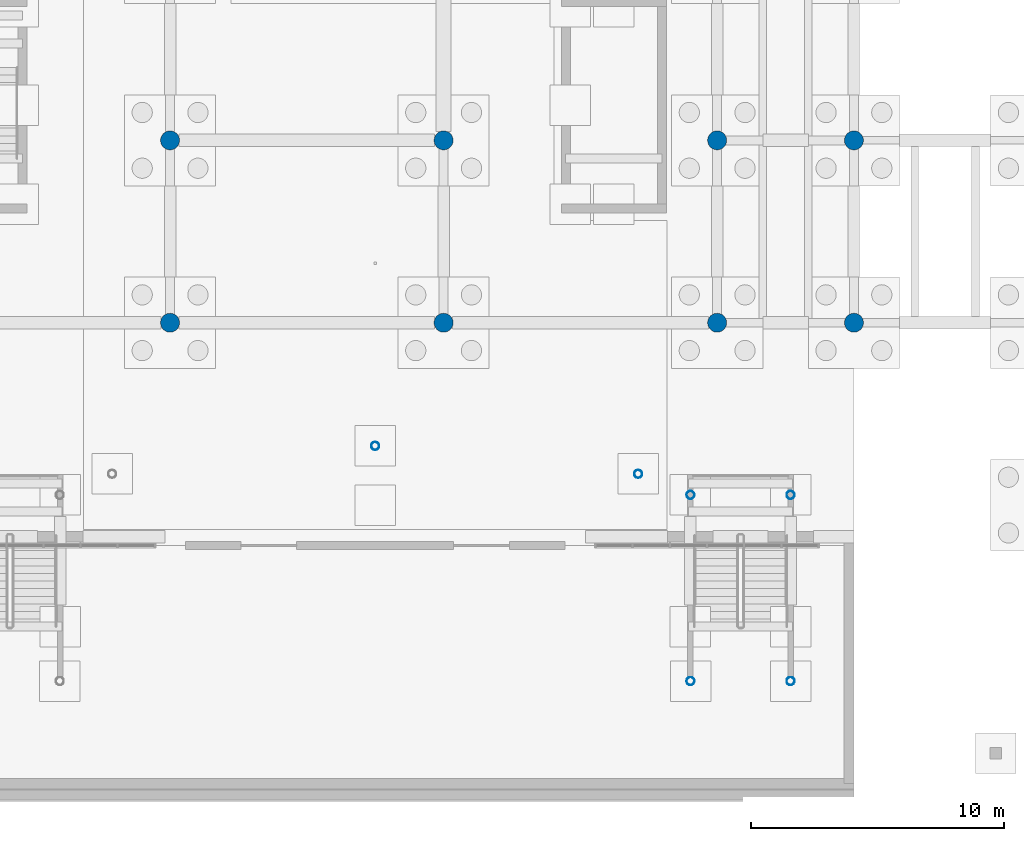
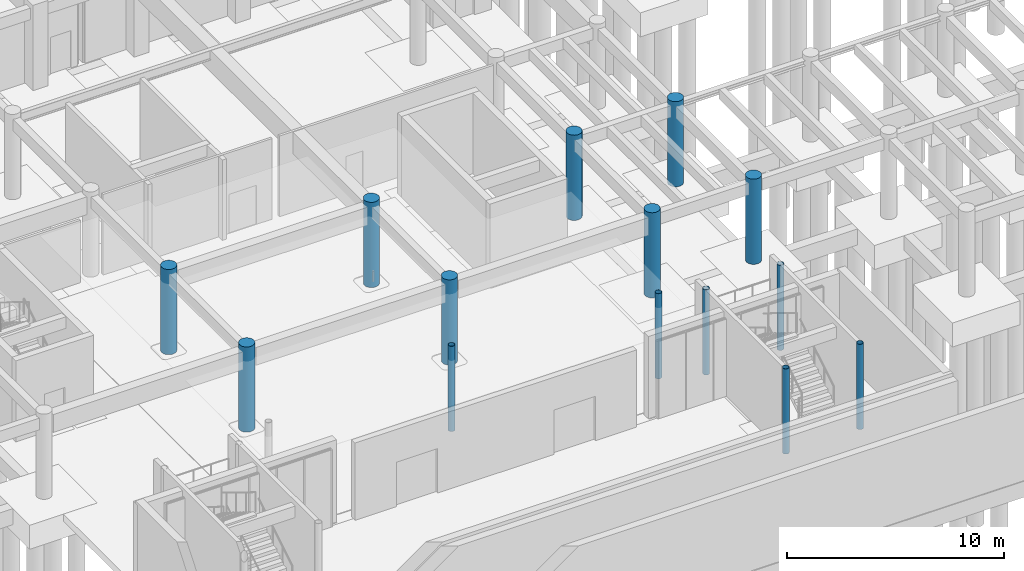
# One storey, part 14 of 46: 14 columns.
"""IFC4 building model written with IfcOpenShell, lengths in metres."""

from ifc_helpers import new_model, si_unit, direction, frame, origin, origin_2d, place, context, subcontext, project, spatial, circle, hollow_circle, extrude, material, material_profile, profile_set, type_object, element, save


model = new_model("IFC4")

# Units and contexts
model_context = context("Model", 3, precision=1e-05, world=origin(), true_north=direction((0.0, 1.0)))
body_context = subcontext(model_context, "Body", "Model", "MODEL_VIEW")
ifc_project = project(units=[si_unit("LENGTHUNIT", "METRE"), si_unit("AREAUNIT", "SQUARE_METRE"), si_unit("VOLUMEUNIT", "CUBIC_METRE"), si_unit("PLANEANGLEUNIT", "RADIAN"), si_unit("MASSUNIT", "GRAM", prefix="KILO")], contexts=[model_context])

# Site, building, storey
site_placement = place(None, origin())
site = spatial("IfcSite", under=ifc_project, at=site_placement, CompositionType="ELEMENT")
building_placement = place(site_placement, origin())
building = spatial("IfcBuilding", under=site, at=building_placement, Name="Tazoul Stagehouse", CompositionType="ELEMENT")
storey_placement = place(building_placement, frame((0.0, 0.0, -4.800048828125)))
storey = spatial("IfcBuildingStorey", under=building, at=storey_placement, Name="B1", CompositionType="ELEMENT", Elevation=-4.800048828125)

# Columns
ifc_material_1 = material(Name="Concrete C40/50", Category="concrete")
ifc_material_profile_1 = material_profile(ifc_material_1, circle(Radius=0.375, at=origin_2d()), Name="RC D750")
ifc_profile_set_1 = profile_set([ifc_material_profile_1], Name="Concrete C40/50")
column_type_1 = type_object("IfcColumnType", Name="RC Circular Column D750", PredefinedType="COLUMN", material=ifc_profile_set_1)
for number, where, z_axis, x_axis, name in (
    (1, (68.39990234375, 23.0, 0.0), (0.0, 0.0, 1.0), (1.0, 0.0, 0.0), "B1 Column C-08 at 10/D"),
    (2, (68.39990234375, 30.199951171875, 0.0), (0.0, 0.0, 1.0), (1.0, 0.0, 0.0), "B1 Column C-08 at 10/E"),
    (3, (79.199951171875, 23.0, 0.0), (0.0, 0.0, 1.0), (1.0, 0.0, 0.0), "B1 Column C-08 at 12/D"),
    (4, (79.199951171875, 30.199951171875, 0.0), (0.0, 0.0, 1.0), (1.0, 0.0, 0.0), "B1 Column C-08 at 12/E"),
    (5, (90.0, 23.0, 0.0), (0.0, 0.0, 1.0), (1.0, 0.0, 0.0), "B1 Column C-08 at 14/D"),
    (6, (90.0, 30.199951171875, 0.0), (0.0, 0.0, 1.0), (1.0, 0.0, 0.0), "B1 Column C-08 at 14/E"),
):
    element("IfcColumn", number, at=place(storey_placement, frame(where, z_axis=z_axis, x_axis=x_axis)), inside=storey, type_object=column_type_1, Name=name, PredefinedType="COLUMN", context=body_context, shape_type="SweptSolid", body=[
        extrude(circle(Radius=0.375, at=origin_2d()), origin(), (0.0, 0.0, 1.0), 4.800048828125),
    ])
ifc_material_profile_2 = material_profile(ifc_material_1, circle(Radius=0.375, at=origin_2d()), Name="RC D750")
ifc_profile_set_2 = profile_set([ifc_material_profile_2], Name="Concrete C40/50")
column_type_2 = type_object("IfcColumnType", Name="RC Circular Column D750 (Exterior)", PredefinedType="COLUMN", material=ifc_profile_set_2)
for number, where, z_axis, x_axis, name in (
    (7, (95.39990234375, 23.0, 0.0), (0.0, 0.0, 1.0), (1.0, 0.0, 0.0), "B1 Column C-08E at 15/D"),
    (8, (95.39990234375, 30.199951171875, 0.0), (0.0, 0.0, 1.0), (1.0, 0.0, 0.0), "B1 Column C-08E at 15/E"),
):
    element("IfcColumn", number, at=place(storey_placement, frame(where, z_axis=z_axis, x_axis=x_axis)), inside=storey, type_object=column_type_2, Name=name, PredefinedType="COLUMN", context=body_context, shape_type="SweptSolid", body=[
        extrude(circle(Radius=0.375, at=origin_2d()), origin(), (0.0, 0.0, 1.0), 4.800048828125),
    ])
ifc_material_2 = material(Name="Steel S355", Category="steel")
ifc_material_profile_3 = material_profile(ifc_material_2, hollow_circle(Radius=0.161865234375, WallThickness=0.012451171875, at=origin_2d()), Name="CHS 323.9x12.5")
ifc_profile_set_3 = profile_set([ifc_material_profile_3], Name="Steel S355")
column_type_3 = type_object("IfcColumnType", Name="Steel Arcade Column CHS 323.9x12.5", PredefinedType="COLUMN", material=ifc_profile_set_3)
for number, where, z_axis, x_axis, name in (
    (9, (88.949951171875, 8.85009765625, 0.0), (0.0, 0.0, 1.0), (1.0, 0.0, 0.0), "B1 Plaza Stair Pavilion Column SC-07 (AMP-E-1)"),
    (10, (92.89990234375, 8.85009765625, 0.0), (0.0, 0.0, 1.0), (1.0, 0.0, 0.0), "B1 Plaza Stair Pavilion Column SC-07 (AMP-E-2)"),
    (11, (88.949951171875, 16.199951171875, 0.0), (0.0, 0.0, 1.0), (1.0, 0.0, 0.0), "B1 Plaza Stair Pavilion Column SC-07 (AMP-E-3)"),
    (12, (92.89990234375, 16.199951171875, 0.0), (0.0, 0.0, 1.0), (1.0, 0.0, 0.0), "B1 Plaza Stair Pavilion Column SC-07 (AMP-E-4)"),
    (13, (76.5, 18.135009765625, 0.0), (0.0, 0.0, 1.0), (1.0, 0.0, 0.0), "B1 Entrance Canopy Substructure Column SC-07 (2)"),
    (14, (86.884765625, 17.030029296875, 0.0), (0.0, 0.0, 1.0), (1.0, 0.0, 0.0), "B1 Entrance Canopy Substructure Column SC-07 (3)"),
):
    element("IfcColumn", number, at=place(storey_placement, frame(where, z_axis=z_axis, x_axis=x_axis)), inside=storey, type_object=column_type_3, Name=name, PredefinedType="COLUMN", context=body_context, shape_type="SweptSolid", body=[
        extrude(hollow_circle(Radius=0.161865234375, WallThickness=0.012451171875, at=origin_2d()), origin(), (0.0, 0.0, 1.0), 4.800048828125),
    ])

save(model, "model.ifc")
